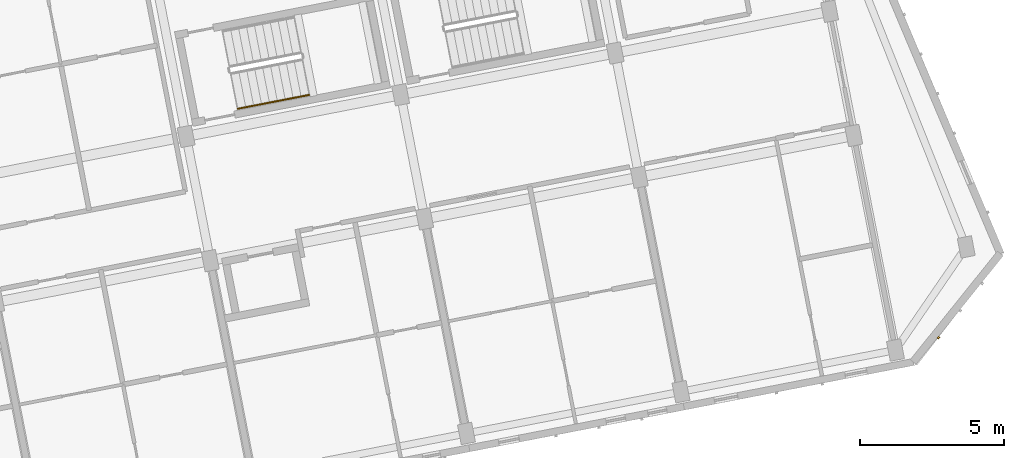
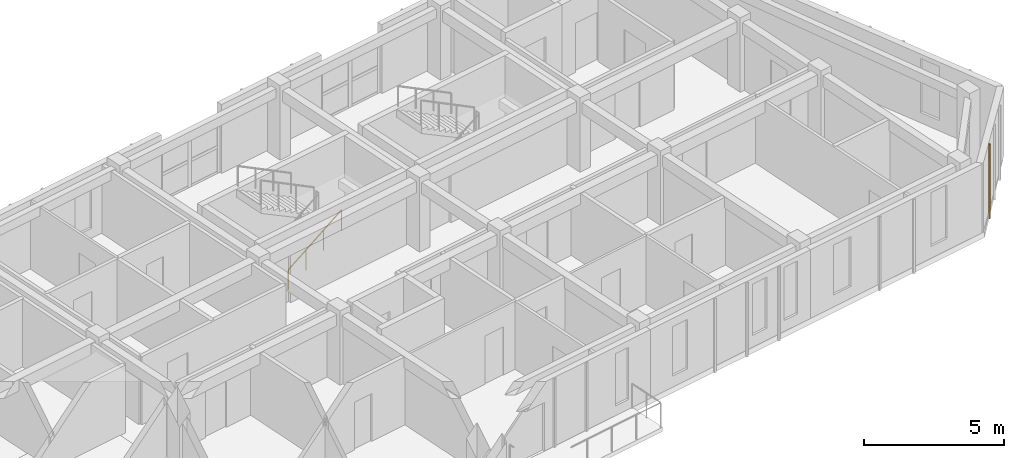
# One storey, part 66 of 74: 1 covering, 1 railing.
"""IFC4 building model written with IfcOpenShell, lengths in metres."""

from ifc_helpers import new_model, si_unit, direction, frame, origin, origin_2d, place, context, subcontext, project, spatial, rectangle, circle, extrude, material, layer, layer_set, type_object, element, save


model = new_model("IFC4")

# Units and contexts
model_context = context("Model", 3, precision=1e-05, world=origin(), true_north=direction((0.0, 1.0)))
body_context = subcontext(model_context, "Body", "Model", "MODEL_VIEW")
ifc_project = project(units=[si_unit("LENGTHUNIT", "METRE"), si_unit("AREAUNIT", "SQUARE_METRE"), si_unit("VOLUMEUNIT", "CUBIC_METRE"), si_unit("PLANEANGLEUNIT", "RADIAN"), si_unit("MASSUNIT", "GRAM", prefix="KILO")], contexts=[model_context])

# Site, building, storey
site_placement = place(None, origin())
site = spatial("IfcSite", under=ifc_project, at=site_placement, CompositionType="ELEMENT")
building_placement = place(site_placement, origin())
building = spatial("IfcBuilding", under=site, at=building_placement, Name="Kestramere Prow Commons", CompositionType="ELEMENT")
storey_placement = place(building_placement, frame((0.0, 0.0, 11.64990234375)))
storey = spatial("IfcBuildingStorey", under=building, at=storey_placement, Name="L03", CompositionType="ELEMENT", Elevation=11.64990234375)

# Covering
ifc_material_1 = material(Name="Weathered Zinc-Titanium Standing-Seam Cladding")
ifc_layer = layer(ifc_material_1, 0.074951171875)
ifc_layer_set = layer_set([ifc_layer], Name="Weathered Zinc-Titanium Standing-Seam Cladding")
covering_type = type_object("IfcCoveringType", Name="COV-CLAD-SEAM", PredefinedType="CLADDING", material=ifc_layer_set)
covering_placement = place(storey_placement, frame((164.662109375, 43.127197265625, -0.25), z_axis=(0.0, 0.0, 1.0), x_axis=(-0.626297717754, -0.779583971575, 0.0)))
element("IfcCovering", 1, at=covering_placement, inside=storey, type_object=covering_type, Name="EW-D-L03-PRW-S Standing-Seam Rib 3", PredefinedType="CLADDING", context=body_context, shape_type="SweptSolid", body=[
    extrude(rectangle(XDim=0.0849609375, YDim=0.06494140625, at=origin_2d()), origin(), (0.0, 0.0, 1.0), 3.25),
])

# Railing
ifc_material_2 = material(Name="Stainless Steel 304", Category="steel")
railing_type = type_object("IfcRailingType", Name="RL-ST-HR-900", PredefinedType="HANDRAIL", material=ifc_material_2)
railing_placement = place(storey_placement, frame((140.291015625, 51.091064453125, 0.3251953125)))
element("IfcRailing", 2, at=railing_placement, inside=storey, type_object=railing_type, Name="L03 ST-D1 stair handrail 1", PredefinedType="HANDRAIL", context=body_context, shape_type="SweptSolid", body=[
    extrude(circle(Radius=0.02392578125, at=origin_2d()), frame((0.0, 0.0, 0.8759765625), z_axis=(0.849043739131, 0.164982445707, 0.501901904411), x_axis=(-0.190747789018, 0.981639078778, 0.0)), (0.0, 0.0, 1.0), 2.913818359375),
    extrude(circle(Radius=0.02099609375, at=origin_2d()), origin(), (0.0, 0.0, 1.0), 0.851806640625),
    extrude(circle(Radius=0.02099609375, at=origin_2d()), frame((0.82470703125, 0.16015625, 0.487548828125)), (0.0, 0.0, 1.0), 0.851806640625),
    extrude(circle(Radius=0.02099609375, at=origin_2d()), frame((1.649169921875, 0.320556640625, 0.974853515625)), (0.0, 0.0, 1.0), 0.851806640625),
    extrude(circle(Radius=0.02099609375, at=origin_2d()), frame((2.473876953125, 0.480712890625, 1.46240234375)), (0.0, 0.0, 1.0), 0.851806640625),
])

save(model, "model.ifc")
